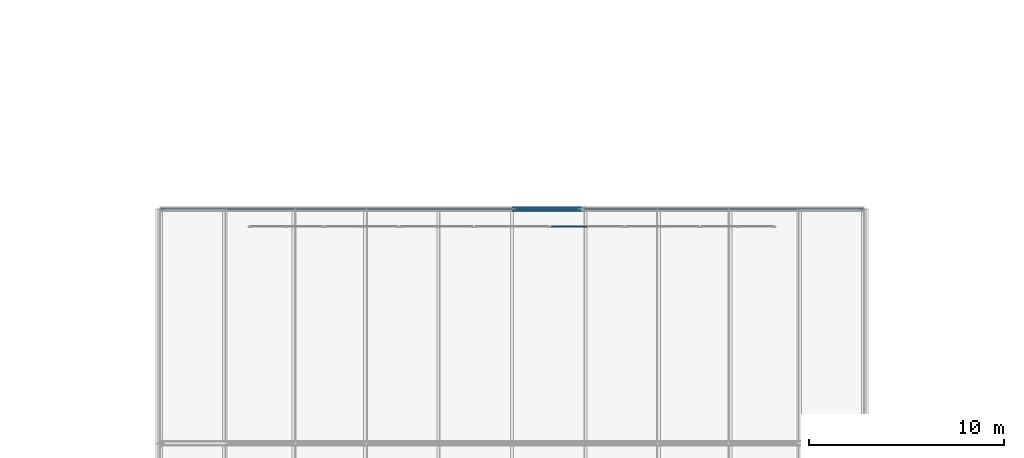
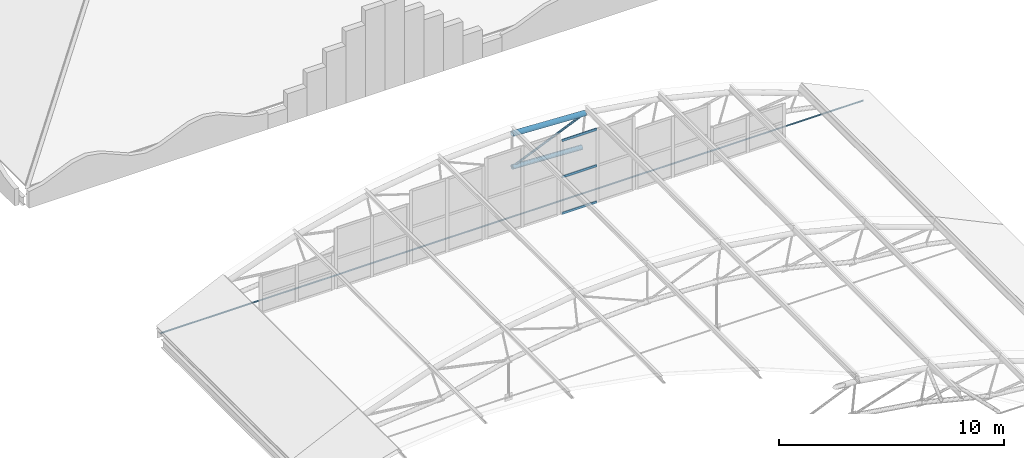
# One storey, part 224 of 321: 7 members, 1 element without a shape of its own.
"""IFC4 building model written with IfcOpenShell, lengths in metres."""

from ifc_helpers import new_model, si_unit, direction, frame, origin, origin_2d, place, context, subcontext, project, spatial, rectangle, circle, hollow_circle, extrude, material, layer, layer_set, material_profile, profile_set, type_object, element, aggregate, save


model = new_model("IFC4")

# Units and contexts
model_context = context("Model", 3, precision=1e-05, world=origin(), true_north=direction((0.0, 1.0)))
body_context = subcontext(model_context, "Body", "Model", "MODEL_VIEW")
ifc_project = project(units=[si_unit("LENGTHUNIT", "METRE"), si_unit("AREAUNIT", "SQUARE_METRE"), si_unit("VOLUMEUNIT", "CUBIC_METRE"), si_unit("PLANEANGLEUNIT", "RADIAN"), si_unit("MASSUNIT", "GRAM", prefix="KILO")], contexts=[model_context])

# Site, building, storey
site_placement = place(None, origin())
site = spatial("IfcSite", under=ifc_project, at=site_placement, CompositionType="ELEMENT")
building_placement = place(site_placement, origin())
building = spatial("IfcBuilding", under=site, at=building_placement, Name="Ravi Spectrum Wholesale Market", CompositionType="ELEMENT")
storey_placement = place(building_placement, frame((0.0, 0.0, 10.800048828125)))
storey = spatial("IfcBuildingStorey", under=building, at=storey_placement, Name="L02", CompositionType="ELEMENT", Elevation=10.800048828125)

# Members
ifc_material_1 = material(Name="Steel S355", Category="steel")
ifc_material_profile_1 = material_profile(ifc_material_1, hollow_circle(Radius=0.05712890625, WallThickness=0.00390625, at=origin_2d()))
ifc_profile_set_1 = profile_set([ifc_material_profile_1], Name="Steel S355")
member_type_1 = type_object("IfcMemberType", Name="CHS 114.3x4 brace", PredefinedType="BRACE", material=ifc_profile_set_1)
member_1_placement = place(storey_placement, frame((183.7421875, 186.0, 4.31640625), z_axis=(-0.918016770488, 0.0, -0.396541560373), x_axis=(0.0, -1.0, 0.0)))
element("IfcMember", 1, at=member_1_placement, inside=storey, type_object=member_type_1, Name="H3-MB-L02-194", PredefinedType="BRACE", context=body_context, shape_type="SweptSolid", body=[
    extrude(hollow_circle(Radius=0.05712890625, WallThickness=0.00390625, at=origin_2d()), origin(), (0.0, 0.0, 1.0), 4.076416015625),
])
ifc_material_2 = material(Name="Steel S355", Category="steel")
ifc_material_profile_2 = material_profile(ifc_material_2, hollow_circle(Radius=0.122314453125, WallThickness=0.008056640625, at=origin_2d()))
ifc_profile_set_2 = profile_set([ifc_material_profile_2], Name="Steel S355")
member_type_2 = type_object("IfcMemberType", Name="CHS 244.5x8 chord", PredefinedType="CHORD", material=ifc_profile_set_2)
member_2_placement = place(storey_placement, frame((180.0, 186.0, 2.699951171875), z_axis=(0.998800798306, 0.0, -0.048958812322), x_axis=(0.0, 1.0, 0.0)))
element("IfcMember", 2, at=member_2_placement, inside=storey, type_object=member_type_2, Name="H3-MB-L02-176", PredefinedType="CHORD", context=body_context, shape_type="SweptSolid", body=[
    extrude(hollow_circle(Radius=0.122314453125, WallThickness=0.008056640625, at=origin_2d()), origin(), (0.0, 0.0, 1.0), 3.570556640625),
])
ifc_material_3 = material(Name="Steel S355", Category="steel")
ifc_material_profile_3 = material_profile(ifc_material_3, hollow_circle(Radius=0.136474609375, WallThickness=0.010009765625, at=origin_2d()))
ifc_profile_set_3 = profile_set([ifc_material_profile_3], Name="Steel S355")
member_type_3 = type_object("IfcMemberType", Name="CHS 273x10 chord", PredefinedType="CHORD", material=ifc_profile_set_3)
member_3_placement = place(storey_placement, frame((180.0, 186.0, 4.5), z_axis=(0.998798699726, 0.0, -0.049001606354), x_axis=(0.0, 1.0, 0.0)))
element("IfcMember", 3, at=member_3_placement, inside=storey, type_object=member_type_3, Name="H3-MB-L02-166", PredefinedType="CHORD", context=body_context, shape_type="SweptSolid", body=[
    extrude(hollow_circle(Radius=0.136474609375, WallThickness=0.010009765625, at=origin_2d()), origin(), (0.0, 0.0, 1.0), 3.74658203125),
])
ifc_material_4 = material(Name="Steel S460", Category="steel")
ifc_material_profile_4 = material_profile(ifc_material_4, circle(Radius=0.030029296875, at=origin_2d()))
ifc_profile_set_4 = profile_set([ifc_material_profile_4], Name="Steel S460")
member_type_4 = type_object("IfcMemberType", Name="ROD 60 tie", PredefinedType="BRACE", material=ifc_profile_set_4)
member_4_placement = place(storey_placement, frame((162.0, 186.0, 0.0), z_axis=(1.0, 0.0, 0.0), x_axis=(0.0, 1.0, 0.0)))
element("IfcMember", 4, at=member_4_placement, inside=storey, type_object=member_type_4, Name="H3-MB-L02-198", PredefinedType="BRACE", context=body_context, shape_type="SweptSolid", body=[
    extrude(circle(Radius=0.030029296875, at=origin_2d()), origin(), (0.0, 0.0, 1.0), 36.0),
])

# Curtain wall, members
ifc_material_5 = material(Name="Aluminium 6063-T6", Category="aluminium")
ifc_layer = layer(ifc_material_5, 0.14990234375)
ifc_layer_set = layer_set([ifc_layer], Name="Aluminium 6063-T6")
curtain_wall_type = type_object("IfcCurtainWallType", Name="Curtain wall 150", PredefinedType="NOTDEFINED", material=ifc_layer_set)
curtain_wall_placement = place(storey_placement, origin())
curtain_wall = element("IfcCurtainWall", 5, at=curtain_wall_placement, inside=storey, type_object=curtain_wall_type, Name="H3-CW-L02-012", PredefinedType="NOTDEFINED")
ifc_material_6 = material(Name="Aluminium 6063-T6", Category="aluminium")
ifc_material_profile_5 = material_profile(ifc_material_6, rectangle(XDim=0.06005859375, YDim=0.1201171875, at=origin_2d()))
ifc_profile_set_5 = profile_set([ifc_material_profile_5], Name="Aluminium 6063-T6")
member_type_5 = type_object("IfcMemberType", Name="Transom 60 x 120", PredefinedType="USERDEFINED", material=ifc_profile_set_5)
member_5_placement = place(storey_placement, frame((182.02685546875, 185.10009765625, 0.030029296875), z_axis=(1.0, 0.0, 0.0), x_axis=(0.0, 1.0, 0.0)))
member_5 = element("IfcMember", 6, at=member_5_placement, type_object=member_type_5, Name="H3-CW-L02-012 transom 1.1", ObjectType="TRANSOM", PredefinedType="USERDEFINED", context=body_context, shape_type="SweptSolid", body=[
    extrude(rectangle(XDim=0.06005859375, YDim=0.1201171875, at=origin_2d()), origin(), (0.0, 0.0, 1.0), 1.796875),
])
member_6_placement = place(storey_placement, frame((182.02685546875, 185.10009765625, 2.0), z_axis=(1.0, 0.0, 0.0), x_axis=(0.0, 1.0, 0.0)))
member_6 = element("IfcMember", 7, at=member_6_placement, type_object=member_type_5, Name="H3-CW-L02-012 transom 1.2", ObjectType="TRANSOM", PredefinedType="USERDEFINED", context=body_context, shape_type="SweptSolid", body=[
    extrude(rectangle(XDim=0.06005859375, YDim=0.1201171875, at=origin_2d()), origin(), (0.0, 0.0, 1.0), 1.796875),
])
member_7_placement = place(storey_placement, frame((182.02685546875, 185.10009765625, 3.969970703125), z_axis=(1.0, 0.0, 0.0), x_axis=(0.0, 1.0, 0.0)))
member_7 = element("IfcMember", 8, at=member_7_placement, type_object=member_type_5, Name="H3-CW-L02-012 transom 1.3", ObjectType="TRANSOM", PredefinedType="USERDEFINED", context=body_context, shape_type="SweptSolid", body=[
    extrude(rectangle(XDim=0.06005859375, YDim=0.1201171875, at=origin_2d()), origin(), (0.0, 0.0, 1.0), 1.796875),
])
aggregate(curtain_wall, [member_5, member_6, member_7])

save(model, "model.ifc")
